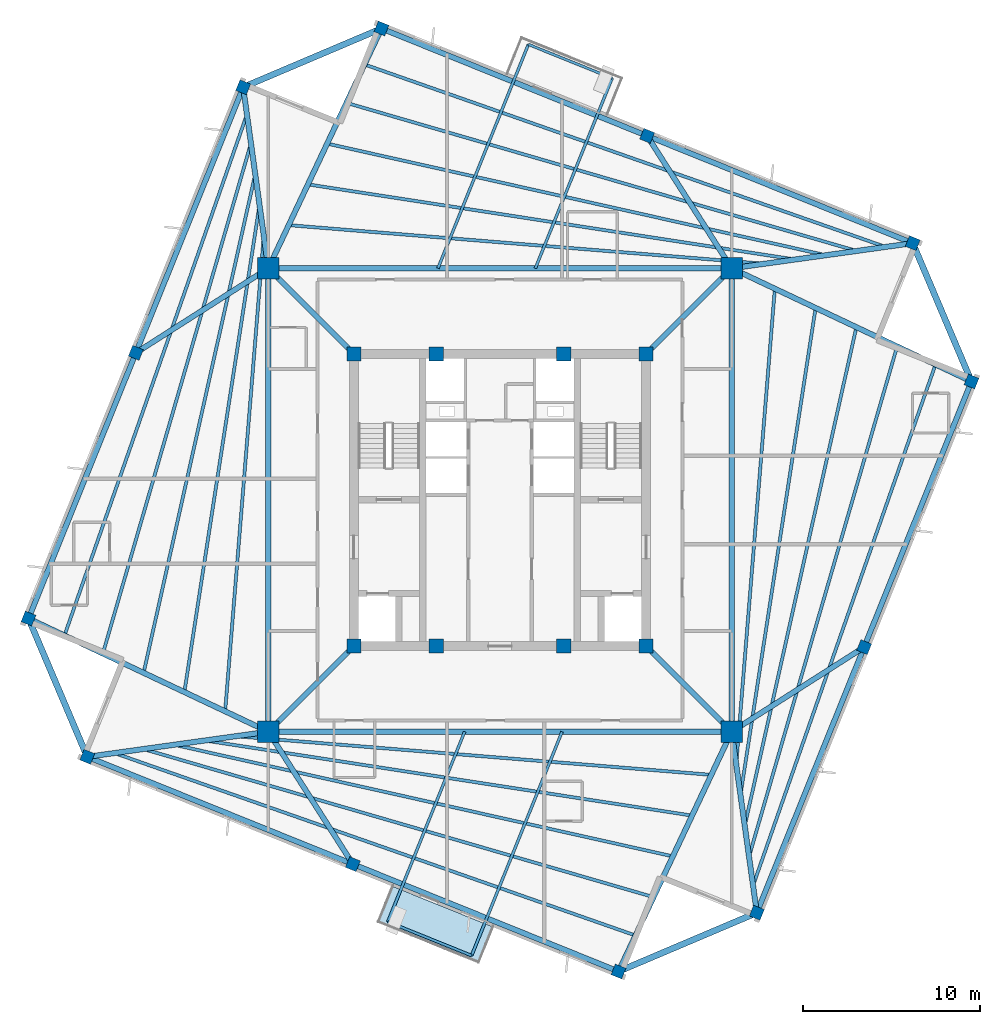
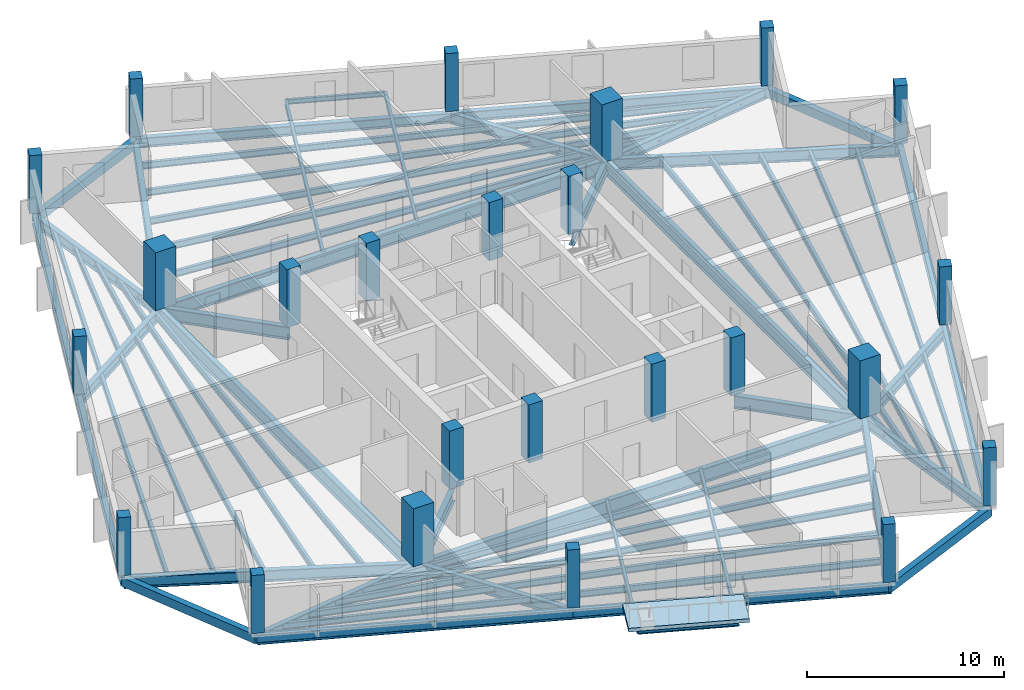
# One storey, part 1 of 8: 58 beams, 24 columns, 1 slab.
"""IFC4 building model written with IfcOpenShell, lengths in metres."""

from ifc_helpers import new_model, si_unit, direction, frame, origin, origin_2d, place, context, subcontext, project, spatial, polyline, rectangle, i_section, outline, extrude, source, transform, mapped, material, layer, layer_set, material_profile, profile_set, type_object, element, save


model = new_model("IFC4")

# Units and contexts
model_context = context("Model", 3, precision=1e-05, world=origin(), true_north=direction((0.0, 1.0)))
body_context = subcontext(model_context, "Body", "Model", "MODEL_VIEW")
ifc_project = project(units=[si_unit("LENGTHUNIT", "METRE"), si_unit("AREAUNIT", "SQUARE_METRE"), si_unit("VOLUMEUNIT", "CUBIC_METRE"), si_unit("PLANEANGLEUNIT", "RADIAN"), si_unit("MASSUNIT", "GRAM", prefix="KILO"), si_unit("THERMODYNAMICTEMPERATUREUNIT", "KELVIN")], contexts=[model_context])

# Site, building, storey
site_placement = place(None, origin())
site = spatial("IfcSite", under=ifc_project, at=site_placement, CompositionType="ELEMENT")
building_placement = place(site_placement, origin())
building = spatial("IfcBuilding", under=site, at=building_placement, Name="Kosmvard Interchange Tower", CompositionType="ELEMENT")
storey_placement = place(building_placement, frame((0.0, 0.0, 308.39990234375)))
storey = spatial("IfcBuildingStorey", under=building, at=storey_placement, Name="L76", CompositionType="ELEMENT", Elevation=308.39990234375)

# Columns
ifc_material_1 = material(Name="Concrete C50/60", Category="concrete")
ifc_material_profile_1 = material_profile(ifc_material_1, rectangle(XDim=0.800048828125, YDim=0.800048828125, at=origin_2d()), Name="CP 800x800")
ifc_profile_set_1 = profile_set([ifc_material_profile_1], Name="Concrete C50/60")
column_type_1 = type_object("IfcColumnType", Name="Core Boundary Pilaster 800x800 C50/60", PredefinedType="PILASTER", material=ifc_profile_set_1)
shared_shape_1 = source(origin(), body_context, "Body", "SweptSolid", [
    extrude(rectangle(XDim=0.800048828125, YDim=0.800048828125, at=origin_2d()), origin(), (0.0, 0.0, 1.0), 3.60009765625),
])
for number, where, z_axis, x_axis, name in (
    (1, (-8.25, -8.25, 0.0), (0.0, 0.0, 1.0), (1.0, 0.0, 0.0), "L76 Core Pilaster CP1"),
    (2, (8.25, -8.25, 0.0), (0.0, 0.0, 1.0), (1.0, 0.0, 0.0), "L76 Core Pilaster CP2"),
    (3, (8.25, 8.25, 0.0), (0.0, 0.0, 1.0), (1.0, 0.0, 0.0), "L76 Core Pilaster CP3"),
    (4, (-8.25, 8.25, 0.0), (0.0, 0.0, 1.0), (1.0, 0.0, 0.0), "L76 Core Pilaster CP4"),
    (5, (-3.60009765625, -8.25, 0.0), (0.0, 0.0, 1.0), (1.0, 0.0, 0.0), "L76 Core Pilaster CP5"),
    (6, (3.60009765625, -8.25, 0.0), (0.0, 0.0, 1.0), (1.0, 0.0, 0.0), "L76 Core Pilaster CP6"),
    (7, (-3.60009765625, 8.25, 0.0), (0.0, 0.0, 1.0), (1.0, 0.0, 0.0), "L76 Core Pilaster CP7"),
    (8, (3.60009765625, 8.25, 0.0), (0.0, 0.0, 1.0), (1.0, 0.0, 0.0), "L76 Core Pilaster CP8"),
):
    element("IfcColumn", number, at=place(storey_placement, frame(where, z_axis=z_axis, x_axis=x_axis)), inside=storey, type_object=column_type_1, Name=name, PredefinedType="PILASTER", context=body_context, shape_type="MappedRepresentation", body=[
        mapped(shared_shape_1, transform((0.0, 0.0, 0.0), scale=1.0)),
    ])
ifc_material_profile_2 = material_profile(ifc_material_1, rectangle(XDim=1.199951171875, YDim=1.199951171875, at=origin_2d()), Name="MC 1200x1200")
ifc_profile_set_2 = profile_set([ifc_material_profile_2], Name="Concrete C50/60")
column_type_2 = type_object("IfcColumnType", Name="Composite Mega-Column 1200x1200 C50/60", PredefinedType="COLUMN", material=ifc_profile_set_2)
shared_shape_2 = source(origin(), body_context, "Body", "SweptSolid", [
    extrude(rectangle(XDim=1.199951171875, YDim=1.199951171875, at=origin_2d()), origin(), (0.0, 0.0, 1.0), 3.60009765625),
])
for number, where, z_axis, x_axis, name in (
    (9, (-13.0810546875, -13.0810546875, 0.0), (0.0, 0.0, 1.0), (1.0, 0.0, 0.0), "L76 Corner Mega-Column MC1"),
    (10, (13.0810546875, -13.0810546875, 0.0), (0.0, 0.0, 1.0), (1.0, 0.0, 0.0), "L76 Corner Mega-Column MC2"),
    (11, (13.0810546875, 13.0810546875, 0.0), (0.0, 0.0, 1.0), (1.0, 0.0, 0.0), "L76 Corner Mega-Column MC3"),
    (12, (-13.0810546875, 13.0810546875, 0.0), (0.0, 0.0, 1.0), (1.0, 0.0, 0.0), "L76 Corner Mega-Column MC4"),
):
    element("IfcColumn", number, at=place(storey_placement, frame(where, z_axis=z_axis, x_axis=x_axis)), inside=storey, type_object=column_type_2, Name=name, PredefinedType="COLUMN", context=body_context, shape_type="MappedRepresentation", body=[
        mapped(shared_shape_2, transform((0.0, 0.0, 0.0), scale=1.0)),
    ])
ifc_material_profile_3 = material_profile(ifc_material_1, rectangle(XDim=0.64990234375, YDim=0.64990234375, at=origin_2d()), Name="TC 650x650")
ifc_profile_set_3 = profile_set([ifc_material_profile_3], Name="Concrete C50/60")
column_type_3 = type_object("IfcColumnType", Name="Zone 5 Perimeter Pier Column 650x650 C50/60", PredefinedType="COLUMN", material=ifc_profile_set_3)
shared_shape_3 = source(origin(), body_context, "Body", "SweptSolid", [
    extrude(rectangle(XDim=0.64990234375, YDim=0.64990234375, at=origin_2d()), origin(), (0.0, 0.0, 1.0), 3.60009765625),
])
for number, where, z_axis, x_axis, name in (
    (13, (14.5009765625, -23.30419921875, 0.0), (0.0, 0.0, 1.0), (0.374606593416, 0.927183854567, 0.0), "L76 Perimeter Pier Column TC-S1"),
    (14, (20.560302734375, -8.306884765625, 0.0), (0.0, 0.0, 1.0), (0.374606593416, 0.927183854567, 0.0), "L76 Perimeter Pier Column TC-S2"),
    (15, (26.61962890625, 6.690185546875, 0.0), (0.0, 0.0, 1.0), (0.374606593416, 0.927183854567, 0.0), "L76 Perimeter Pier Column TC-S3"),
    (16, (23.30419921875, 14.5009765625, 0.0), (0.0, 0.0, 1.0), (0.374606593416, 0.927183854567, 0.0), "L76 Perimeter Pier Column TC-E1"),
    (17, (8.306884765625, 20.560302734375, 0.0), (0.0, 0.0, 1.0), (0.374606593416, 0.927183854567, 0.0), "L76 Perimeter Pier Column TC-E2"),
    (18, (-6.690185546875, 26.61962890625, 0.0), (0.0, 0.0, 1.0), (0.374606593416, 0.927183854567, 0.0), "L76 Perimeter Pier Column TC-E3"),
    (19, (-14.5009765625, 23.30419921875, 0.0), (0.0, 0.0, 1.0), (0.374606593416, 0.927183854567, 0.0), "L76 Perimeter Pier Column TC-N1"),
    (20, (-20.560302734375, 8.306884765625, 0.0), (0.0, 0.0, 1.0), (0.374606593416, 0.927183854567, 0.0), "L76 Perimeter Pier Column TC-N2"),
    (21, (-26.61962890625, -6.690185546875, 0.0), (0.0, 0.0, 1.0), (0.374606593416, 0.927183854567, 0.0), "L76 Perimeter Pier Column TC-N3"),
    (22, (-23.30419921875, -14.5009765625, 0.0), (0.0, 0.0, 1.0), (0.374606593416, 0.927183854567, 0.0), "L76 Perimeter Pier Column TC-W1"),
    (23, (-8.306884765625, -20.560302734375, 0.0), (0.0, 0.0, 1.0), (0.374606593416, 0.927183854567, 0.0), "L76 Perimeter Pier Column TC-W2"),
    (24, (6.690185546875, -26.61962890625, 0.0), (0.0, 0.0, 1.0), (0.374606593416, 0.927183854567, 0.0), "L76 Perimeter Pier Column TC-W3"),
):
    element("IfcColumn", number, at=place(storey_placement, frame(where, z_axis=z_axis, x_axis=x_axis)), inside=storey, type_object=column_type_3, Name=name, PredefinedType="COLUMN", context=body_context, shape_type="MappedRepresentation", body=[
        mapped(shared_shape_3, transform((0.0, 0.0, 0.0), scale=1.0)),
    ])

# Beams
ifc_material_2 = material(Name="Steel S355", Category="steel")
ifc_material_profile_4 = material_profile(ifc_material_2, i_section(OverallWidth=0.14990234375, OverallDepth=0.300048828125, WebThickness=0.007080078125, FlangeThickness=0.0107421875, FilletRadius=0.014892578125, at=origin_2d()), Name="IPE 300")
ifc_profile_set_4 = profile_set([ifc_material_profile_4], Name="Steel S355")
beam_type_1 = type_object("IfcBeamType", Name="Balcony Edge Header Joist IPE 300 S355", PredefinedType="JOIST", material=ifc_profile_set_4)
shared_shape_4 = source(origin(), body_context, "Body", "SweptSolid", [
    extrude(i_section(OverallWidth=0.14990234375, OverallDepth=0.300048828125, WebThickness=0.007080078125, FlangeThickness=0.0107421875, FilletRadius=0.014892578125, at=origin_2d()), origin(), (0.0, 0.0, 1.0), 5.10009765625),
])
for number, where, z_axis, x_axis, name in (
    (25, (6.331298828125, 23.812255859375, -0.39990234375), (-0.927193563684, 0.37458256161, 0.0), (-0.37458256161, -0.927193563684, 0.0), "BM-L76-BJH1"),
    (26, (-6.331298828125, -23.812255859375, -0.39990234375), (0.927193563684, -0.37458256161, 0.0), (0.37458256161, 0.927193563684, 0.0), "BM-L76-BJH2"),
):
    element("IfcBeam", number, at=place(storey_placement, frame(where, z_axis=z_axis, x_axis=x_axis)), inside=storey, type_object=beam_type_1, Name=name, PredefinedType="JOIST", context=body_context, shape_type="MappedRepresentation", body=[
        mapped(shared_shape_4, transform((0.0, 0.0, 0.0), scale=1.0)),
    ])
ifc_material_profile_5 = material_profile(ifc_material_2, i_section(OverallWidth=0.300048828125, OverallDepth=0.800048828125, WebThickness=0.017578125, FlangeThickness=0.032958984375, FilletRadius=0.027099609375, at=origin_2d()), Name="HEB 800")
ifc_profile_set_5 = profile_set([ifc_material_profile_5], Name="Steel S355")
beam_type_2 = type_object("IfcBeamType", Name="Primary Mega-Frame Girder HEB 800 S355", PredefinedType="BEAM", material=ifc_profile_set_5)
shared_shape_5 = source(origin(), body_context, "Body", "SweptSolid", [
    extrude(i_section(OverallWidth=0.300048828125, OverallDepth=0.800048828125, WebThickness=0.017578125, FlangeThickness=0.032958984375, FilletRadius=0.027099609375, at=origin_2d()), origin(), (0.0, 0.0, 1.0), 6.83203125),
])
for number, where, z_axis, x_axis, name in (
    (27, (-8.25, -8.25, -0.64990234375), (-0.707106781187, -0.707106781187, 0.0), (0.707106781187, -0.707106781187, 0.0), "L76 Radial Mega-Frame Girder 1"),
    (28, (8.25, -8.25, -0.64990234375), (0.707106781187, -0.707106781187, 0.0), (0.707106781187, 0.707106781187, 0.0), "L76 Radial Mega-Frame Girder 2"),
    (29, (8.25, 8.25, -0.64990234375), (0.707106781187, 0.707106781187, 0.0), (-0.707106781187, 0.707106781187, 0.0), "L76 Radial Mega-Frame Girder 3"),
    (30, (-8.25, 8.25, -0.64990234375), (-0.707106781187, 0.707106781187, 0.0), (-0.707106781187, -0.707106781187, 0.0), "L76 Radial Mega-Frame Girder 4"),
):
    element("IfcBeam", number, at=place(storey_placement, frame(where, z_axis=z_axis, x_axis=x_axis)), inside=storey, type_object=beam_type_2, Name=name, PredefinedType="BEAM", context=body_context, shape_type="MappedRepresentation", body=[
        mapped(shared_shape_5, transform((0.0, 0.0, 0.0), scale=1.0)),
    ])
ifc_material_profile_6 = material_profile(ifc_material_2, i_section(OverallWidth=0.300048828125, OverallDepth=0.89990234375, WebThickness=0.0185546875, FlangeThickness=0.034912109375, FilletRadius=0.030029296875, at=origin_2d()), Name="HEB 900")
ifc_profile_set_6 = profile_set([ifc_material_profile_6], Name="Steel S355")
beam_type_3 = type_object("IfcBeamType", Name="Mega-Column Ring Girder HEB 900 S355", PredefinedType="BEAM", material=ifc_profile_set_6)
shared_shape_6 = source(origin(), body_context, "Body", "SweptSolid", [
    extrude(i_section(OverallWidth=0.300048828125, OverallDepth=0.89990234375, WebThickness=0.0185546875, FlangeThickness=0.034912109375, FilletRadius=0.030029296875, at=origin_2d()), origin(), (0.0, 0.0, 1.0), 26.162109375),
])
for number, where, z_axis, x_axis, name in (
    (31, (-13.0810546875, -13.0810546875, -0.699951171875), (1.0, 0.0, 0.0), (0.0, 1.0, 0.0), "L76 Mega-Column Ring Girder 1"),
    (32, (13.0810546875, -13.0810546875, -0.699951171875), (0.0, 1.0, 0.0), (-1.0, 0.0, 0.0), "L76 Mega-Column Ring Girder 2"),
    (33, (13.0810546875, 13.0810546875, -0.699951171875), (-1.0, 0.0, 0.0), (0.0, -1.0, 0.0), "L76 Mega-Column Ring Girder 3"),
    (34, (-13.0810546875, 13.0810546875, -0.699951171875), (0.0, -1.0, 0.0), (1.0, 0.0, 0.0), "L76 Mega-Column Ring Girder 4"),
):
    element("IfcBeam", number, at=place(storey_placement, frame(where, z_axis=z_axis, x_axis=x_axis)), inside=storey, type_object=beam_type_3, Name=name, PredefinedType="BEAM", context=body_context, shape_type="MappedRepresentation", body=[
        mapped(shared_shape_6, transform((0.0, 0.0, 0.0), scale=1.0)),
    ])
ifc_material_profile_7 = material_profile(ifc_material_2, i_section(OverallWidth=0.300048828125, OverallDepth=0.60009765625, WebThickness=0.015380859375, FlangeThickness=0.030029296875, FilletRadius=0.027099609375, at=origin_2d()), Name="HEB 600")
ifc_profile_set_7 = profile_set([ifc_material_profile_7], Name="Steel S355")
beam_type_4 = type_object("IfcBeamType", Name="Perimeter Tie Girder HEB 600 S355", PredefinedType="BEAM", material=ifc_profile_set_7)
shared_shape_7 = source(origin(), body_context, "Body", "SweptSolid", [
    extrude(i_section(OverallWidth=0.300048828125, OverallDepth=0.60009765625, WebThickness=0.015380859375, FlangeThickness=0.030029296875, FilletRadius=0.027099609375, at=origin_2d()), origin(), (0.0, 0.0, 1.0), 16.175048828125),
])
for number, where, z_axis, x_axis, name in (
    (35, (14.5009765625, -23.30419921875, -0.5498046875), (0.374607540279, 0.927183472009, 0.0), (-0.927183472009, 0.374607540279, 0.0), "BM-L76-PR01"),
    (36, (23.30419921875, 14.5009765625, -0.5498046875), (-0.927183472009, 0.374607540279, 0.0), (-0.374607540279, -0.927183472009, 0.0), "BM-L76-PR04"),
    (37, (-14.5009765625, 23.30419921875, -0.5498046875), (-0.374607540279, -0.927183472009, 0.0), (0.927183472009, -0.374607540279, 0.0), "BM-L76-PR07"),
    (38, (-23.30419921875, -14.5009765625, -0.5498046875), (0.927183472009, -0.374607540279, 0.0), (0.374607540279, 0.927183472009, 0.0), "BM-L76-PR10"),
):
    element("IfcBeam", number, at=place(storey_placement, frame(where, z_axis=z_axis, x_axis=x_axis)), inside=storey, type_object=beam_type_4, Name=name, PredefinedType="BEAM", context=body_context, shape_type="MappedRepresentation", body=[
        mapped(shared_shape_7, transform((0.0, 0.0, 0.0), scale=1.0)),
    ])
ifc_material_profile_8 = material_profile(ifc_material_2, i_section(OverallWidth=0.300048828125, OverallDepth=0.64990234375, WebThickness=0.01611328125, FlangeThickness=0.031005859375, FilletRadius=0.027099609375, at=origin_2d()), Name="HEB 650")
ifc_profile_set_8 = profile_set([ifc_material_profile_8], Name="Steel S355")
beam_type_5 = type_object("IfcBeamType", Name="Primary Floor Girder HEB 650 S355", PredefinedType="BEAM", material=ifc_profile_set_8)
shared_shape_8 = source(origin(), body_context, "Body", "SweptSolid", [
    extrude(i_section(OverallWidth=0.300048828125, OverallDepth=0.64990234375, WebThickness=0.01611328125, FlangeThickness=0.031005859375, FilletRadius=0.027099609375, at=origin_2d()), origin(), (0.0, 0.0, 1.0), 10.3212890625),
])
for number, where, z_axis, x_axis, name in (
    (39, (13.0810546875, -13.0810546875, -0.574951171875), (0.137572239014, -0.990491735984, 0.0), (0.990491735984, 0.137572239014, 0.0), "BM-L76-RD01"),
    (40, (13.0810546875, 13.0810546875, -0.574951171875), (0.990491735984, 0.137572239014, 0.0), (-0.137572239014, 0.990491735984, 0.0), "BM-L76-RD04"),
    (41, (-13.0810546875, 13.0810546875, -0.574951171875), (-0.137572239014, 0.990491735984, 0.0), (-0.990491735984, -0.137572239014, 0.0), "BM-L76-RD07"),
    (42, (-13.0810546875, -13.0810546875, -0.574951171875), (-0.990491735984, -0.137572239014, 0.0), (0.137572239014, -0.990491735984, 0.0), "BM-L76-RD10"),
):
    element("IfcBeam", number, at=place(storey_placement, frame(where, z_axis=z_axis, x_axis=x_axis)), inside=storey, type_object=beam_type_5, Name=name, PredefinedType="BEAM", context=body_context, shape_type="MappedRepresentation", body=[
        mapped(shared_shape_8, transform((0.0, 0.0, 0.0), scale=1.0)),
    ])
shared_shape_9 = source(origin(), body_context, "Body", "SweptSolid", [
    extrude(i_section(OverallWidth=0.300048828125, OverallDepth=0.60009765625, WebThickness=0.015380859375, FlangeThickness=0.030029296875, FilletRadius=0.027099609375, at=origin_2d()), origin(), (0.0, 0.0, 1.0), 16.1748046875),
])
for number, where, z_axis, x_axis, name in (
    (43, (20.560302734375, -8.306884765625, -0.5498046875), (0.374612782798, 0.92718135387, 0.0), (-0.92718135387, 0.374612782798, 0.0), "BM-L76-PR02"),
    (44, (8.306884765625, 20.560302734375, -0.5498046875), (-0.92718135387, 0.374612782798, 0.0), (-0.374612782798, -0.92718135387, 0.0), "BM-L76-PR05"),
    (45, (-20.560302734375, 8.306884765625, -0.5498046875), (-0.374612782798, -0.92718135387, 0.0), (0.92718135387, -0.374612782798, 0.0), "BM-L76-PR08"),
    (46, (-8.306884765625, -20.560302734375, -0.5498046875), (0.92718135387, -0.374612782798, 0.0), (0.374612782798, 0.92718135387, 0.0), "BM-L76-PR11"),
):
    element("IfcBeam", number, at=place(storey_placement, frame(where, z_axis=z_axis, x_axis=x_axis)), inside=storey, type_object=beam_type_4, Name=name, PredefinedType="BEAM", context=body_context, shape_type="MappedRepresentation", body=[
        mapped(shared_shape_9, transform((0.0, 0.0, 0.0), scale=1.0)),
    ])
shared_shape_10 = source(origin(), body_context, "Body", "SweptSolid", [
    extrude(i_section(OverallWidth=0.300048828125, OverallDepth=0.64990234375, WebThickness=0.01611328125, FlangeThickness=0.031005859375, FilletRadius=0.027099609375, at=origin_2d()), origin(), (0.0, 0.0, 1.0), 8.873046875),
])
for number, where, z_axis, x_axis, name in (
    (47, (13.0810546875, -13.0810546875, -0.574951171875), (0.842912916934, 0.538050011119, 0.0), (-0.538050011119, 0.842912916934, 0.0), "BM-L76-RD02"),
    (48, (13.0810546875, 13.0810546875, -0.574951171875), (-0.538050011119, 0.842912916934, 0.0), (-0.842912916934, -0.538050011119, 0.0), "BM-L76-RD05"),
    (49, (-13.0810546875, 13.0810546875, -0.574951171875), (-0.842912916934, -0.538050011119, 0.0), (0.538050011119, -0.842912916934, 0.0), "BM-L76-RD08"),
    (50, (-13.0810546875, -13.0810546875, -0.574951171875), (0.538050011119, -0.842912916934, 0.0), (0.842912916934, 0.538050011119, 0.0), "BM-L76-RD11"),
):
    element("IfcBeam", number, at=place(storey_placement, frame(where, z_axis=z_axis, x_axis=x_axis)), inside=storey, type_object=beam_type_5, Name=name, PredefinedType="BEAM", context=body_context, shape_type="MappedRepresentation", body=[
        mapped(shared_shape_10, transform((0.0, 0.0, 0.0), scale=1.0)),
    ])
ifc_material_3 = material(Name="Precast concrete C45/55", Category="concrete")
ifc_material_profile_9 = material_profile(ifc_material_3, rectangle(XDim=0.35009765625, YDim=0.550048828125, at=origin_2d()), Name="SL 350x550")
ifc_profile_set_9 = profile_set([ifc_material_profile_9], Name="Precast concrete C45/55")
beam_type_6 = type_object("IfcBeamType", Name="Precast Spandrel Lintel 350x550 C45/55", PredefinedType="LINTEL", material=ifc_profile_set_9)
shared_shape_11 = source(origin(), body_context, "Body", "SweptSolid", [
    extrude(rectangle(XDim=0.35009765625, YDim=0.550048828125, at=origin_2d()), origin(), (0.0, 0.0, 1.0), 8.4853515625),
])
for number, where, z_axis, x_axis, name in (
    (51, (26.61962890625, 6.690185546875, -0.52490234375), (-0.390725696857, 0.920507159025, 0.0), (-0.920507159025, -0.390725696857, 0.0), "BM-L76-SL1"),
    (52, (-6.690185546875, 26.61962890625, -0.52490234375), (-0.920507159025, -0.390725696857, 0.0), (0.390725696857, -0.920507159025, 0.0), "BM-L76-SL2"),
    (53, (-26.61962890625, -6.690185546875, -0.52490234375), (0.390725696857, -0.920507159025, 0.0), (0.920507159025, 0.390725696857, 0.0), "BM-L76-SL3"),
    (54, (6.690185546875, -26.61962890625, -0.52490234375), (0.920507159025, 0.390725696857, 0.0), (-0.390725696857, 0.920507159025, 0.0), "BM-L76-SL4"),
):
    element("IfcBeam", number, at=place(storey_placement, frame(where, z_axis=z_axis, x_axis=x_axis)), inside=storey, type_object=beam_type_6, Name=name, PredefinedType="LINTEL", context=body_context, shape_type="MappedRepresentation", body=[
        mapped(shared_shape_11, transform((0.0, 0.0, 0.0), scale=1.0)),
    ])
ifc_material_profile_10 = material_profile(ifc_material_2, i_section(OverallWidth=0.300048828125, OverallDepth=0.699951171875, WebThickness=0.01708984375, FlangeThickness=0.031982421875, FilletRadius=0.027099609375, at=origin_2d()), Name="HEB 700")
ifc_profile_set_10 = profile_set([ifc_material_profile_10], Name="Steel S355")
beam_type_7 = type_object("IfcBeamType", Name="Primary Floor Girder HEB 700 S355", PredefinedType="BEAM", material=ifc_profile_set_10)
shared_shape_12 = source(origin(), body_context, "Body", "SweptSolid", [
    extrude(i_section(OverallWidth=0.300048828125, OverallDepth=0.699951171875, WebThickness=0.01708984375, FlangeThickness=0.031982421875, FilletRadius=0.027099609375, at=origin_2d()), origin(), (0.0, 0.0, 1.0), 14.97119140625),
])
for number, where, z_axis, x_axis, name in (
    (55, (13.0810546875, 13.0810546875, -0.599853515625), (0.904309155001, -0.426878146761, 0.0), (0.426878146761, 0.904309155001, 0.0), "BM-L76-RD03"),
    (56, (-13.0810546875, 13.0810546875, -0.599853515625), (0.426878146761, 0.904309155001, 0.0), (-0.904309155001, 0.426878146761, 0.0), "BM-L76-RD06"),
    (57, (-13.0810546875, -13.0810546875, -0.599853515625), (-0.904309155001, 0.426878146761, 0.0), (-0.426878146761, -0.904309155001, 0.0), "BM-L76-RD09"),
    (58, (13.0810546875, -13.0810546875, -0.599853515625), (-0.426878146761, -0.904309155001, 0.0), (0.904309155001, -0.426878146761, 0.0), "BM-L76-RD12"),
):
    element("IfcBeam", number, at=place(storey_placement, frame(where, z_axis=z_axis, x_axis=x_axis)), inside=storey, type_object=beam_type_7, Name=name, PredefinedType="BEAM", context=body_context, shape_type="MappedRepresentation", body=[
        mapped(shared_shape_12, transform((0.0, 0.0, 0.0), scale=1.0)),
    ])
ifc_material_profile_11 = material_profile(ifc_material_2, i_section(OverallWidth=0.179931640625, OverallDepth=0.39990234375, WebThickness=0.008544921875, FlangeThickness=0.013427734375, FilletRadius=0.02099609375, at=origin_2d()), Name="IPE 400")
ifc_profile_set_11 = profile_set([ifc_material_profile_11], Name="Steel S355")
beam_type_8 = type_object("IfcBeamType", Name="Upper-Zone Floor Joist IPE 400 S355", PredefinedType="JOIST", material=ifc_profile_set_11)
shared_shape_13 = source(origin(), body_context, "Body", "SweptSolid", [
    extrude(i_section(OverallWidth=0.179931640625, OverallDepth=0.39990234375, WebThickness=0.008544921875, FlangeThickness=0.013427734375, FilletRadius=0.02099609375, at=origin_2d()), origin(), (0.0, 0.0, 1.0), 26.780029296875),
])
for number, where, z_axis, x_axis, name in (
    (59, (13.343017578125, -14.84130859375, -0.449951171875), (0.080972773487, 0.996716313679, 0.0), (-0.996716313679, 0.080972773487, 0.0), "BM-L76-FJ01"),
    (60, (14.84130859375, 13.343017578125, -0.449951171875), (-0.996716313679, 0.080972773487, 0.0), (-0.080972773487, -0.996716313679, 0.0), "BM-L76-FJ06"),
    (61, (-13.343017578125, 14.84130859375, -0.449951171875), (-0.080972773487, -0.996716313679, 0.0), (0.996716313679, -0.080972773487, 0.0), "BM-L76-FJ11"),
    (62, (-14.84130859375, -13.343017578125, -0.449951171875), (0.996716313679, -0.080972773487, 0.0), (0.080972773487, 0.996716313679, 0.0), "BM-L76-FJ16"),
):
    element("IfcBeam", number, at=place(storey_placement, frame(where, z_axis=z_axis, x_axis=x_axis)), inside=storey, type_object=beam_type_8, Name=name, PredefinedType="JOIST", context=body_context, shape_type="MappedRepresentation", body=[
        mapped(shared_shape_13, transform((0.0, 0.0, 0.0), scale=1.0)),
    ])
shared_shape_14 = source(origin(), body_context, "Body", "SweptSolid", [
    extrude(i_section(OverallWidth=0.179931640625, OverallDepth=0.39990234375, WebThickness=0.008544921875, FlangeThickness=0.013427734375, FilletRadius=0.02099609375, at=origin_2d()), origin(), (0.0, 0.0, 1.0), 27.66845703125),
])
for number, where, z_axis, x_axis, name in (
    (63, (13.590087890625, -16.580078125, -0.449951171875), (0.152421855854, 0.988315525456, 0.0), (-0.988315525456, 0.152421855854, 0.0), "BM-L76-FJ02"),
    (64, (16.580078125, 13.590087890625, -0.449951171875), (-0.988315525456, 0.152421855854, 0.0), (-0.152421855854, -0.988315525456, 0.0), "BM-L76-FJ07"),
    (65, (-13.590087890625, 16.580078125, -0.449951171875), (-0.152421855854, -0.988315525456, 0.0), (0.988315525456, -0.152421855854, 0.0), "BM-L76-FJ12"),
    (66, (-16.580078125, -13.590087890625, -0.449951171875), (0.988315525456, -0.152421855854, 0.0), (0.152421855854, 0.988315525456, 0.0), "BM-L76-FJ17"),
):
    element("IfcBeam", number, at=place(storey_placement, frame(where, z_axis=z_axis, x_axis=x_axis)), inside=storey, type_object=beam_type_8, Name=name, PredefinedType="JOIST", context=body_context, shape_type="MappedRepresentation", body=[
        mapped(shared_shape_14, transform((0.0, 0.0, 0.0), scale=1.0)),
    ])
shared_shape_15 = source(origin(), body_context, "Body", "SweptSolid", [
    extrude(i_section(OverallWidth=0.179931640625, OverallDepth=0.39990234375, WebThickness=0.008544921875, FlangeThickness=0.013427734375, FilletRadius=0.02099609375, at=origin_2d()), origin(), (0.0, 0.0, 1.0), 28.691162109375),
])
for number, where, z_axis, x_axis, name in (
    (67, (13.8369140625, -18.31884765625, -0.449951171875), (0.218415018158, 0.975855972899, 0.0), (-0.975855972899, 0.218415018158, 0.0), "BM-L76-FJ03"),
    (68, (18.31884765625, 13.8369140625, -0.449951171875), (-0.975855972899, 0.218415018158, 0.0), (-0.218415018158, -0.975855972899, 0.0), "BM-L76-FJ08"),
    (69, (-13.8369140625, 18.31884765625, -0.449951171875), (-0.218415018158, -0.975855972899, 0.0), (0.975855972899, -0.218415018158, 0.0), "BM-L76-FJ13"),
    (70, (-18.31884765625, -13.8369140625, -0.449951171875), (0.975855972899, -0.218415018158, 0.0), (0.218415018158, 0.975855972899, 0.0), "BM-L76-FJ18"),
):
    element("IfcBeam", number, at=place(storey_placement, frame(where, z_axis=z_axis, x_axis=x_axis)), inside=storey, type_object=beam_type_8, Name=name, PredefinedType="JOIST", context=body_context, shape_type="MappedRepresentation", body=[
        mapped(shared_shape_15, transform((0.0, 0.0, 0.0), scale=1.0)),
    ])
shared_shape_16 = source(origin(), body_context, "Body", "SweptSolid", [
    extrude(i_section(OverallWidth=0.179931640625, OverallDepth=0.39990234375, WebThickness=0.008544921875, FlangeThickness=0.013427734375, FilletRadius=0.02099609375, at=origin_2d()), origin(), (0.0, 0.0, 1.0), 29.83544921875),
])
for number, where, z_axis, x_axis, name in (
    (71, (14.0830078125, -20.05810546875, -0.449951171875), (0.27877586881, 0.960356191717, 0.0), (-0.960356191717, 0.27877586881, 0.0), "BM-L76-FJ04"),
    (72, (20.05810546875, 14.0830078125, -0.449951171875), (-0.960356191717, 0.27877586881, 0.0), (-0.27877586881, -0.960356191717, 0.0), "BM-L76-FJ09"),
    (73, (-14.0830078125, 20.05810546875, -0.449951171875), (-0.27877586881, -0.960356191717, 0.0), (0.960356191717, -0.27877586881, 0.0), "BM-L76-FJ14"),
    (74, (-20.05810546875, -14.0830078125, -0.449951171875), (0.960356191717, -0.27877586881, 0.0), (0.27877586881, 0.960356191717, 0.0), "BM-L76-FJ19"),
):
    element("IfcBeam", number, at=place(storey_placement, frame(where, z_axis=z_axis, x_axis=x_axis)), inside=storey, type_object=beam_type_8, Name=name, PredefinedType="JOIST", context=body_context, shape_type="MappedRepresentation", body=[
        mapped(shared_shape_16, transform((0.0, 0.0, 0.0), scale=1.0)),
    ])
shared_shape_17 = source(origin(), body_context, "Body", "SweptSolid", [
    extrude(i_section(OverallWidth=0.179931640625, OverallDepth=0.39990234375, WebThickness=0.008544921875, FlangeThickness=0.013427734375, FilletRadius=0.02099609375, at=origin_2d()), origin(), (0.0, 0.0, 1.0), 31.0107421875),
])
for number, where, z_axis, x_axis, name in (
    (75, (14.314453125, -21.695068359375, -0.449951171875), (0.330459834828, 0.943820055713, 0.0), (-0.943820055713, 0.330459834828, 0.0), "BM-L76-FJ05"),
    (76, (21.695068359375, 14.314453125, -0.449951171875), (-0.943820055713, 0.330459834828, 0.0), (-0.330459834828, -0.943820055713, 0.0), "BM-L76-FJ10"),
    (77, (-14.314453125, 21.695068359375, -0.449951171875), (-0.330459834828, -0.943820055713, 0.0), (0.943820055713, -0.330459834828, 0.0), "BM-L76-FJ15"),
    (78, (-21.695068359375, -14.314453125, -0.449951171875), (0.943820055713, -0.330459834828, 0.0), (0.330459834828, 0.943820055713, 0.0), "BM-L76-FJ20"),
):
    element("IfcBeam", number, at=place(storey_placement, frame(where, z_axis=z_axis, x_axis=x_axis)), inside=storey, type_object=beam_type_8, Name=name, PredefinedType="JOIST", context=body_context, shape_type="MappedRepresentation", body=[
        mapped(shared_shape_17, transform((0.0, 0.0, 0.0), scale=1.0)),
    ])
ifc_material_profile_12 = material_profile(ifc_material_2, i_section(OverallWidth=0.159912109375, OverallDepth=0.330078125, WebThickness=0.007568359375, FlangeThickness=0.011474609375, FilletRadius=0.01806640625, at=origin_2d()), Name="IPE 330")
ifc_profile_set_12 = profile_set([ifc_material_profile_12], Name="Steel S355")
beam_type_9 = type_object("IfcBeamType", Name="Balcony Cantilever Joist IPE 330 S355", PredefinedType="JOIST", material=ifc_profile_set_12)
shared_shape_18 = source(origin(), body_context, "Body", "SweptSolid", [
    extrude(i_section(OverallWidth=0.159912109375, OverallDepth=0.330078125, WebThickness=0.007568359375, FlangeThickness=0.011474609375, FilletRadius=0.01806640625, at=origin_2d()), origin(), (0.0, 0.0, 1.0), 11.573974609375),
])
for number, where, z_axis, x_axis, name in (
    (79, (1.99560546875, 13.0810546875, -0.414794921875), (0.374607087443, 0.927183654967, 0.0), (-0.927183654967, 0.374607087443, 0.0), "BM-L76-BJ1"),
    (80, (-1.99560546875, -13.0810546875, -0.414794921875), (-0.374607087443, -0.927183654967, 0.0), (0.927183654967, -0.374607087443, 0.0), "BM-L76-BJ2"),
):
    element("IfcBeam", number, at=place(storey_placement, frame(where, z_axis=z_axis, x_axis=x_axis)), inside=storey, type_object=beam_type_9, Name=name, PredefinedType="JOIST", context=body_context, shape_type="MappedRepresentation", body=[
        mapped(shared_shape_18, transform((0.0, 0.0, 0.0), scale=1.0)),
    ])
shared_shape_19 = source(origin(), body_context, "Body", "SweptSolid", [
    extrude(i_section(OverallWidth=0.159912109375, OverallDepth=0.330078125, WebThickness=0.007568359375, FlangeThickness=0.011474609375, FilletRadius=0.01806640625, at=origin_2d()), origin(), (0.0, 0.0, 1.0), 13.63427734375),
])
for number, where, z_axis, x_axis, name in (
    (81, (-3.5048828125, 13.0810546875, -0.414794921875), (0.374599235723, 0.927186827234, 0.0), (-0.927186827234, 0.374599235723, 0.0), "BM-L76-BJB1"),
    (82, (3.5048828125, -13.0810546875, -0.414794921875), (-0.374599235723, -0.927186827234, 0.0), (0.927186827234, -0.374599235723, 0.0), "BM-L76-BJB2"),
):
    element("IfcBeam", number, at=place(storey_placement, frame(where, z_axis=z_axis, x_axis=x_axis)), inside=storey, type_object=beam_type_9, Name=name, PredefinedType="JOIST", context=body_context, shape_type="MappedRepresentation", body=[
        mapped(shared_shape_19, transform((0.0, 0.0, 0.0), scale=1.0)),
    ])

# Slab
ifc_layer = layer(ifc_material_1, 0.22998046875, Name="Concrete C50/60")
ifc_layer_set = layer_set([ifc_layer], Name="Concrete C50/60")
slab_type = type_object("IfcSlabType", Name="Tree-Planter Cantilever Balcony Slab 230 C50/60", PredefinedType="FLOOR", material=ifc_layer_set)
slab_placement = place(storey_placement, frame((0.0, 0.0, -0.22998046875)))
element("IfcSlab", 83, at=slab_placement, inside=storey, type_object=slab_type, Name="L76 Outdoor Terrace Balcony Slab BAL-L76-W", PredefinedType="FLOOR", context=body_context, shape_type="SweptSolid", body=[
    extrude(outline(polyline([(-1.186279296875, -26.160400390625), (-0.362060546875, -24.12060546875), (-6.110595703125, -21.798095703125), (-6.934814453125, -23.837890625), (-1.186279296875, -26.160400390625)])), origin(), (0.0, 0.0, 1.0), 0.22998046875),
])

save(model, "model.ifc")
